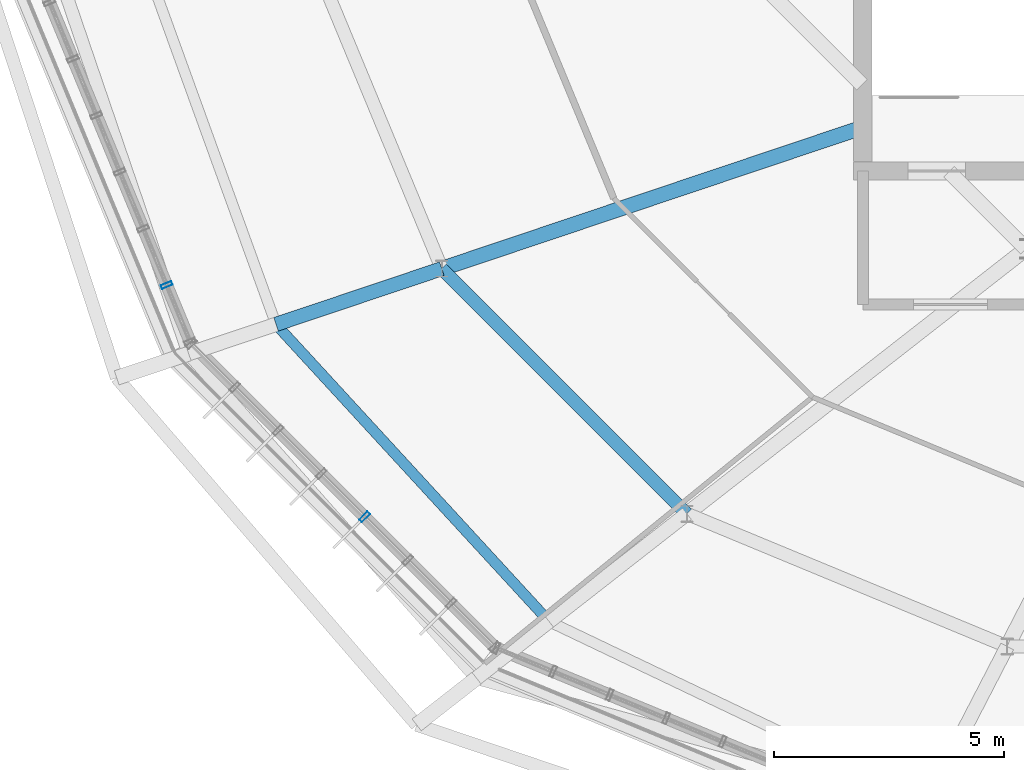
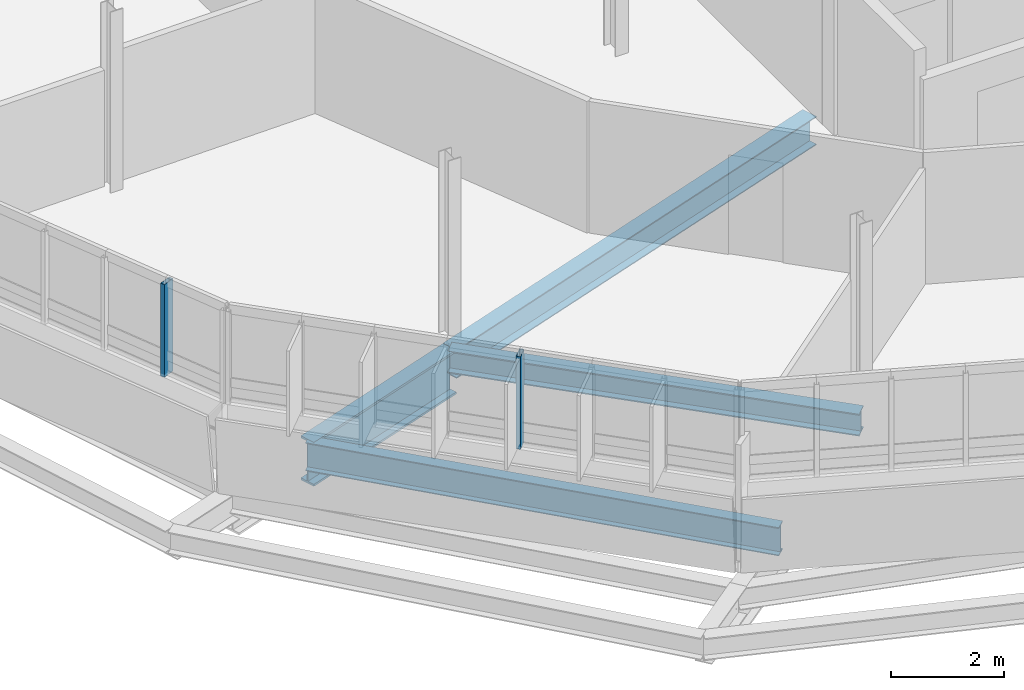
# One storey, part 6 of 31: 4 beams, 2 members, 2 elements without a shape of their own.
"""IFC4 building model written with IfcOpenShell, lengths in metres."""

from ifc_helpers import new_model, si_unit, derived_unit, direction, frame, origin, origin_2d, place, context, subcontext, project, spatial, hollow_rectangle, i_section, extrude, material, layer, layer_set, material_profile, profile_set, type_object, element, aggregate, save


model = new_model("IFC4")

# Units and contexts
model_context = context("Model", 3, precision=1e-05, world=origin(), true_north=direction((0.0, 1.0)))
body_context = subcontext(model_context, "Body", "Model", "MODEL_VIEW")
ifc_project = project(units=[si_unit("LENGTHUNIT", "METRE"), si_unit("AREAUNIT", "SQUARE_METRE"), si_unit("VOLUMEUNIT", "CUBIC_METRE"), si_unit("PLANEANGLEUNIT", "RADIAN"), si_unit("MASSUNIT", "GRAM", prefix="KILO"), derived_unit("THERMALTRANSMITTANCEUNIT", [(si_unit("MASSUNIT", "GRAM", prefix="KILO"), 1), (si_unit("TIMEUNIT", "SECOND"), -3), (si_unit("THERMODYNAMICTEMPERATUREUNIT", "KELVIN"), -1)])], contexts=[model_context])

# Site, building, storey
site_placement = place(None, origin())
site = spatial("IfcSite", under=ifc_project, at=site_placement, CompositionType="ELEMENT")
building_placement = place(site_placement, origin())
building = spatial("IfcBuilding", under=site, at=building_placement, Name="Makaiwela Harbour Ferry Terminal", CompositionType="ELEMENT")
storey_placement = place(building_placement, frame((0.0, 0.0, 21.60009765625)))
storey = spatial("IfcBuildingStorey", under=building, at=storey_placement, Name="L05", CompositionType="ELEMENT", Elevation=21.60009765625)

# Curtain wall, member
ifc_material_1 = material(Name="Marine anodised aluminium 6063-T6", Category="aluminium")
ifc_layer = layer(ifc_material_1, 0.199951171875)
ifc_layer_set = layer_set([ifc_layer], Name="Marine anodised aluminium 6063-T6")
curtain_wall_type = type_object("IfcCurtainWallType", Name="ENV-CW-07", PredefinedType="USERDEFINED", material=ifc_layer_set)
curtain_wall_1_placement = place(storey_placement, origin())
curtain_wall_1 = element("IfcCurtainWall", 1, at=curtain_wall_1_placement, inside=storey, type_object=curtain_wall_type, Name="Unitised Curtain Wall CWA-064", ObjectType="UNITIZED CURTAIN WALL", PredefinedType="USERDEFINED")
ifc_material_profile_1 = material_profile(ifc_material_1, hollow_rectangle(XDim=0.0849609375, YDim=0.25, WallThickness=0.0048828125, at=origin_2d()), Name="CWM-250X85")
ifc_profile_set_1 = profile_set([ifc_material_profile_1], Name="Marine anodised aluminium 6063-T6")
member_type = type_object("IfcMemberType", Name="CW-MUL-250", PredefinedType="MULLION", material=ifc_profile_set_1)
member_1_placement = place(storey_placement, frame((15.07470703125, 57.02197265625, 1.47998046875), z_axis=(0.0, 0.0, 1.0), x_axis=(-0.382683432365, 0.923879532511, 0.0)))
member_1 = element("IfcMember", 2, at=member_1_placement, type_object=member_type, Name="Curtain Wall Mullion CWA-064-7", PredefinedType="MULLION", context=body_context, shape_type="SweptSolid", body=[
    extrude(hollow_rectangle(XDim=0.0849609375, YDim=0.25, WallThickness=0.0048828125, at=origin_2d()), origin(), (0.0, 0.0, 1.0), 2.0),
])
aggregate(curtain_wall_1, [member_1])

curtain_wall_2_placement = place(storey_placement, origin())
curtain_wall_2 = element("IfcCurtainWall", 3, at=curtain_wall_2_placement, inside=storey, type_object=curtain_wall_type, Name="Unitised Curtain Wall CWA-065", ObjectType="UNITIZED CURTAIN WALL", PredefinedType="USERDEFINED")
member_2_placement = place(storey_placement, frame((19.37548828125, 51.985595703125, 1.47998046875), z_axis=(0.0, 0.0, 1.0), x_axis=(-0.707106781187, 0.707106781187, 0.0)))
member_2 = element("IfcMember", 4, at=member_2_placement, type_object=member_type, Name="Curtain Wall Mullion CWA-065-5", PredefinedType="MULLION", context=body_context, shape_type="SweptSolid", body=[
    extrude(hollow_rectangle(XDim=0.0849609375, YDim=0.25, WallThickness=0.0048828125, at=origin_2d()), origin(), (0.0, 0.0, 1.0), 2.0),
])
aggregate(curtain_wall_2, [member_2])

# Beams
ifc_material_2 = material(Name="Steel ASTM A992 Grade 50", Category="steel")
ifc_material_profile_2 = material_profile(ifc_material_2, i_section(OverallWidth=0.324951171875, OverallDepth=0.615966796875, WebThickness=0.013916015625, FlangeThickness=0.021484375, at=origin_2d()), Name="W24X117")
ifc_profile_set_2 = profile_set([ifc_material_profile_2], Name="Steel ASTM A992 Grade 50")
beam_type_1 = type_object("IfcBeamType", Name="STR-GRD-W24X117", PredefinedType="USERDEFINED", material=ifc_profile_set_2)
beam_1_placement = place(storey_placement, frame((30.159912109375, 60.43505859375, -0.55810546875), z_axis=(-0.948000034107, -0.31827022376, 0.0), x_axis=(0.31827022376, -0.948000034107, 0.0)))
element("IfcBeam", 5, at=beam_1_placement, inside=storey, type_object=beam_type_1, Name="Drum radial girder 557", ObjectType="GIRDER", PredefinedType="USERDEFINED", context=body_context, shape_type="SweptSolid", body=[
    extrude(i_section(OverallWidth=0.324951171875, OverallDepth=0.615966796875, WebThickness=0.013916015625, FlangeThickness=0.021484375, at=origin_2d()), origin(), (0.0, 0.0, 1.0), 9.60693359375),
])
ifc_material_profile_3 = material_profile(ifc_material_2, i_section(OverallWidth=0.22900390625, OverallDepth=0.612060546875, WebThickness=0.011962890625, FlangeThickness=0.01953125, at=origin_2d()), Name="W24X84")
ifc_profile_set_3 = profile_set([ifc_material_profile_3], Name="Steel ASTM A992 Grade 50")
beam_type_2 = type_object("IfcBeamType", Name="STR-GRD-W24X84", PredefinedType="USERDEFINED", material=ifc_profile_set_3)
beam_2_placement = place(storey_placement, frame((17.4501953125, 56.168212890625, -0.55615234375), z_axis=(0.676696289264, -0.73626227127, 0.0), x_axis=(0.73626227127, 0.676696289264, 0.0)))
element("IfcBeam", 6, at=beam_2_placement, inside=storey, type_object=beam_type_2, Name="Drum overhang tie girder 595", ObjectType="GIRDER", PredefinedType="USERDEFINED", context=body_context, shape_type="SweptSolid", body=[
    extrude(i_section(OverallWidth=0.22900390625, OverallDepth=0.612060546875, WebThickness=0.011962890625, FlangeThickness=0.01953125, at=origin_2d()), origin(), (0.0, 0.0, 1.0), 8.76708984375),
])
ifc_material_profile_4 = material_profile(ifc_material_2, i_section(OverallWidth=0.31005859375, OverallDepth=0.949951171875, WebThickness=0.0244140625, FlangeThickness=0.0439453125, at=origin_2d()), Name="W36X256")
ifc_profile_set_4 = profile_set([ifc_material_profile_4], Name="Steel ASTM A992 Grade 50")
beam_type_3 = type_object("IfcBeamType", Name="STR-GRD-W36X256", PredefinedType="USERDEFINED", material=ifc_profile_set_4)
beam_3_placement = place(storey_placement, frame((21.052490234375, 57.37744140625, -0.72509765625), z_axis=(-0.948012977156, -0.318231668984, 0.0), x_axis=(0.318231668984, -0.948012977156, 0.0)))
element("IfcBeam", 7, at=beam_3_placement, inside=storey, type_object=beam_type_3, Name="Drum radial overhang 558", ObjectType="GIRDER", PredefinedType="USERDEFINED", context=body_context, shape_type="SweptSolid", body=[
    extrude(i_section(OverallWidth=0.31005859375, OverallDepth=0.949951171875, WebThickness=0.0244140625, FlangeThickness=0.0439453125, at=origin_2d()), origin(), (0.0, 0.0, 1.0), 3.7998046875),
])
ifc_material_profile_5 = material_profile(ifc_material_2, i_section(OverallWidth=0.283935546875, OverallDepth=0.47607421875, WebThickness=0.014892578125, FlangeThickness=0.02392578125, at=origin_2d()), Name="W18X106")
ifc_profile_set_5 = profile_set([ifc_material_profile_5], Name="Steel ASTM A992 Grade 50")
beam_type_4 = type_object("IfcBeamType", Name="STR-SPN-W18X106", PredefinedType="SPANDREL", material=ifc_profile_set_5)
beam_4_placement = place(storey_placement, frame((21.052490234375, 57.37744140625, -0.488037109375), z_axis=(0.707106781187, -0.707106781187, 0.0), x_axis=(0.707106781187, 0.707106781187, 0.0)))
element("IfcBeam", 8, at=beam_4_placement, inside=storey, type_object=beam_type_4, Name="Drum column ring girder 516", PredefinedType="SPANDREL", context=body_context, shape_type="SweptSolid", body=[
    extrude(i_section(OverallWidth=0.283935546875, OverallDepth=0.47607421875, WebThickness=0.014892578125, FlangeThickness=0.02392578125, at=origin_2d()), origin(), (0.0, 0.0, 1.0), 7.530517578125),
])

save(model, "model.ifc")
